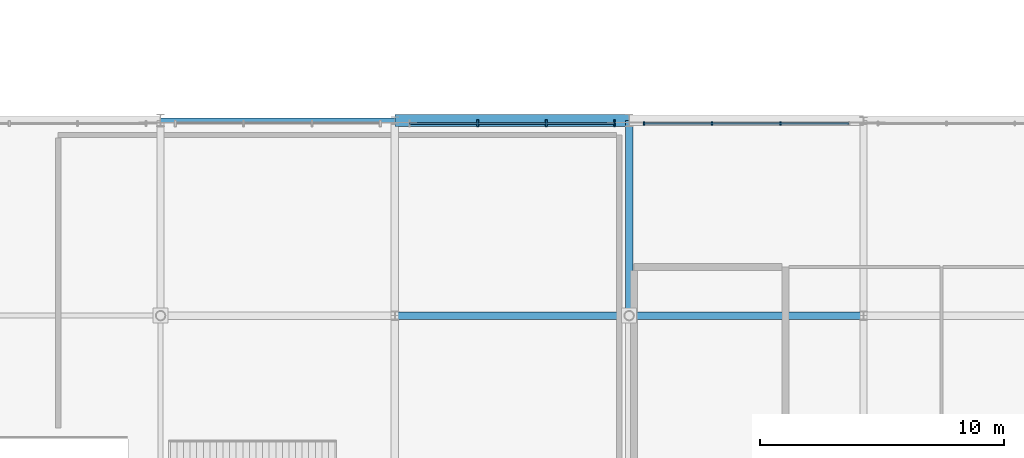
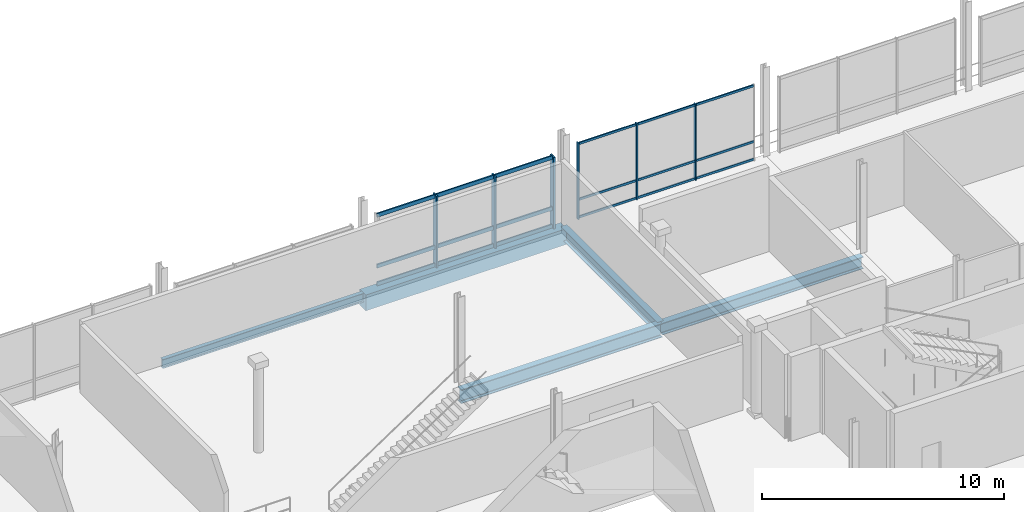
# One storey, part 13 of 36: 12 members, 5 beams, 2 elements without a shape of their own.
"""IFC4 building model written with IfcOpenShell, lengths in metres."""

from ifc_helpers import new_model, si_unit, direction, frame, origin, origin_2d, place, context, subcontext, project, spatial, rectangle, i_section, extrude, material, material_profile, profile_set, type_object, element, aggregate, save


model = new_model("IFC4")

# Units and contexts
model_context = context("Model", 3, precision=1e-05, world=origin(), true_north=direction((0.0, 1.0)))
body_context = subcontext(model_context, "Body", "Model", "MODEL_VIEW")
ifc_project = project(units=[si_unit("LENGTHUNIT", "METRE"), si_unit("AREAUNIT", "SQUARE_METRE"), si_unit("VOLUMEUNIT", "CUBIC_METRE"), si_unit("PLANEANGLEUNIT", "RADIAN"), si_unit("MASSUNIT", "GRAM", prefix="KILO")], contexts=[model_context])

# Site, building, storey
site_placement = place(None, origin())
site = spatial("IfcSite", under=ifc_project, at=site_placement, CompositionType="ELEMENT")
building_placement = place(site_placement, origin())
building = spatial("IfcBuilding", under=site, at=building_placement, Name="Danafjord Basin Convention Centre", CompositionType="ELEMENT")
storey_placement = place(building_placement, frame((0.0, 0.0, 20.39990234375)))
storey = spatial("IfcBuildingStorey", under=building, at=storey_placement, Name="L04", CompositionType="ELEMENT", Elevation=20.39990234375)

# Beams
ifc_material_1 = material(Name="Steel S355", Category="steel")
ifc_material_profile_1 = material_profile(ifc_material_1, i_section(OverallWidth=0.300048828125, OverallDepth=0.60009765625, WebThickness=0.015380859375, FlangeThickness=0.030029296875, FilletRadius=0.027099609375, at=origin_2d()), Name="HEB 600")
ifc_profile_set_1 = profile_set([ifc_material_profile_1], Name="Steel S355")
beam_type_1 = type_object("IfcBeamType", Name="BEAM-BM-HEB600", PredefinedType="BEAM", material=ifc_profile_set_1)
beam_1_placement = place(storey_placement, frame((48.0, 32.0, -0.52392578125), z_axis=(1.0, 0.0, 0.0), x_axis=(0.0, 1.0, 0.0)))
element("IfcBeam", 1, at=beam_1_placement, inside=storey, type_object=beam_type_1, Name="L04 girder BM-HEB600", PredefinedType="BEAM", context=body_context, shape_type="SweptSolid", body=[
    extrude(i_section(OverallWidth=0.300048828125, OverallDepth=0.60009765625, WebThickness=0.015380859375, FlangeThickness=0.030029296875, FilletRadius=0.027099609375, at=origin_2d()), origin(), (0.0, 0.0, 1.0), 9.60009765625),
])
beam_2_placement = place(storey_placement, frame((48.0, 32.0, -0.52392578125), z_axis=(0.0, 1.0, 0.0), x_axis=(-1.0, 0.0, 0.0)))
element("IfcBeam", 2, at=beam_2_placement, inside=storey, type_object=beam_type_1, Name="L04 transverse girder BM-HEB600", PredefinedType="BEAM", context=body_context, shape_type="SweptSolid", body=[
    extrude(i_section(OverallWidth=0.300048828125, OverallDepth=0.60009765625, WebThickness=0.015380859375, FlangeThickness=0.030029296875, FilletRadius=0.027099609375, at=origin_2d()), origin(), (0.0, 0.0, 1.0), 8.0),
])
ifc_material_profile_2 = material_profile(ifc_material_1, i_section(OverallWidth=0.300048828125, OverallDepth=0.699951171875, WebThickness=0.01708984375, FlangeThickness=0.031982421875, FilletRadius=0.027099609375, at=origin_2d()), Name="HEB 700")
ifc_profile_set_2 = profile_set([ifc_material_profile_2], Name="Steel S355")
beam_type_2 = type_object("IfcBeamType", Name="BEAM-BM-HEB700", PredefinedType="BEAM", material=ifc_profile_set_2)
beam_3_placement = place(storey_placement, frame((38.39990234375, 32.0, -0.573974609375), z_axis=(1.0, 0.0, 0.0), x_axis=(0.0, 1.0, 0.0)))
element("IfcBeam", 3, at=beam_3_placement, inside=storey, type_object=beam_type_2, Name="L04 girder BM-HEB700", PredefinedType="BEAM", context=body_context, shape_type="SweptSolid", body=[
    extrude(i_section(OverallWidth=0.300048828125, OverallDepth=0.699951171875, WebThickness=0.01708984375, FlangeThickness=0.031982421875, FilletRadius=0.027099609375, at=origin_2d()), origin(), (0.0, 0.0, 1.0), 9.60009765625),
])
ifc_material_profile_3 = material_profile(ifc_material_1, i_section(OverallWidth=0.18994140625, OverallDepth=0.449951171875, WebThickness=0.009521484375, FlangeThickness=0.0146484375, FilletRadius=0.02099609375, at=origin_2d()), Name="IPE 450")
ifc_profile_set_3 = profile_set([ifc_material_profile_3], Name="Steel S355")
beam_type_3 = type_object("IfcBeamType", Name="BEAM-SP-IPE450", PredefinedType="SPANDREL", material=ifc_profile_set_3)
beam_4_placement = place(storey_placement, frame((28.800048828125, 40.0, -0.448974609375), z_axis=(1.0, 0.0, 0.0), x_axis=(0.0, 1.0, 0.0)))
element("IfcBeam", 4, at=beam_4_placement, inside=storey, type_object=beam_type_3, Name="L04 girder SP-IPE450", PredefinedType="SPANDREL", context=body_context, shape_type="SweptSolid", body=[
    extrude(i_section(OverallWidth=0.18994140625, OverallDepth=0.449951171875, WebThickness=0.009521484375, FlangeThickness=0.0146484375, FilletRadius=0.02099609375, at=origin_2d()), origin(), (0.0, 0.0, 1.0), 9.599853515625),
])
ifc_material_2 = material(Name="Precast concrete C45/55", Category="concrete")
ifc_material_profile_4 = material_profile(ifc_material_2, rectangle(XDim=0.5, YDim=0.800048828125, at=origin_2d()), Name="PCB 500x800")
ifc_profile_set_4 = profile_set([ifc_material_profile_4], Name="Precast concrete C45/55")
beam_type_4 = type_object("IfcBeamType", Name="BEAM-SP-PCB800", PredefinedType="SPANDREL", material=ifc_profile_set_4)
beam_5_placement = place(storey_placement, frame((38.39990234375, 40.0, -0.6240234375), z_axis=(1.0, 0.0, 0.0), x_axis=(0.0, 1.0, 0.0)))
element("IfcBeam", 5, at=beam_5_placement, inside=storey, type_object=beam_type_4, Name="L04 girder SP-PCB800", PredefinedType="SPANDREL", context=body_context, shape_type="SweptSolid", body=[
    extrude(rectangle(XDim=0.5, YDim=0.800048828125, at=origin_2d()), origin(), (0.0, 0.0, 1.0), 9.60009765625),
])

# Curtain wall, members
ifc_material_3 = material(Name="Anodised aluminium and triple glazing", Category="aluminium")
curtain_wall_type = type_object("IfcCurtainWallType", Name="CW-CW-TERR", PredefinedType="NOTDEFINED", material=ifc_material_3)
curtain_wall_1_placement = place(storey_placement, origin())
curtain_wall_1 = element("IfcCurtainWall", 6, at=curtain_wall_1_placement, inside=storey, type_object=curtain_wall_type, Name="L04 CW-TERR unitised curtain wall bay 90", PredefinedType="NOTDEFINED")
ifc_material_4 = material(Name="Anodised aluminium EN AW-6060", Category="aluminium")
ifc_material_profile_5 = material_profile(ifc_material_4, rectangle(XDim=0.06005859375, YDim=0.139892578125, at=origin_2d()), Name="MULL 60x140")
ifc_profile_set_5 = profile_set([ifc_material_profile_5], Name="Anodised aluminium EN AW-6060")
member_type_1 = type_object("IfcMemberType", Name="MEM-ML-140", PredefinedType="MULLION", material=ifc_profile_set_5)
member_1_placement = place(storey_placement, frame((54.199951171875, 39.8798828125, -0.02490234375), z_axis=(0.0, 0.0, 1.0), x_axis=(-1.0, 0.0, 0.0)))
member_1 = element("IfcMember", 7, at=member_1_placement, type_object=member_type_1, Name="CW-L04-090 mullion 2", PredefinedType="MULLION", context=body_context, shape_type="SweptSolid", body=[
    extrude(rectangle(XDim=0.06005859375, YDim=0.139892578125, at=origin_2d()), origin(), (0.0, 0.0, 1.0), 3.864990234375),
])
member_2_placement = place(storey_placement, frame((51.39990234375, 39.8798828125, -0.02490234375), z_axis=(0.0, 0.0, 1.0), x_axis=(-1.0, 0.0, 0.0)))
member_2 = element("IfcMember", 8, at=member_2_placement, type_object=member_type_1, Name="CW-L04-090 mullion 3", PredefinedType="MULLION", context=body_context, shape_type="SweptSolid", body=[
    extrude(rectangle(XDim=0.06005859375, YDim=0.139892578125, at=origin_2d()), origin(), (0.0, 0.0, 1.0), 3.864990234375),
])
member_3_placement = place(storey_placement, frame((48.60009765625, 39.8798828125, -0.02490234375), z_axis=(0.0, 0.0, 1.0), x_axis=(-1.0, 0.0, 0.0)))
member_3 = element("IfcMember", 9, at=member_3_placement, type_object=member_type_1, Name="CW-L04-090 mullion 4", PredefinedType="MULLION", context=body_context, shape_type="SweptSolid", body=[
    extrude(rectangle(XDim=0.06005859375, YDim=0.139892578125, at=origin_2d()), origin(), (0.0, 0.0, 1.0), 3.864990234375),
])

curtain_wall_2_placement = place(storey_placement, origin())
curtain_wall_2 = element("IfcCurtainWall", 10, at=curtain_wall_2_placement, inside=storey, type_object=curtain_wall_type, Name="L04 CW-TERR unitised curtain wall bay 89", PredefinedType="NOTDEFINED")
ifc_material_profile_6 = material_profile(ifc_material_4, rectangle(XDim=0.080078125, YDim=0.300048828125, at=origin_2d()), Name="MULL 80x300")
ifc_profile_set_6 = profile_set([ifc_material_profile_6], Name="Anodised aluminium EN AW-6060")
member_type_2 = type_object("IfcMemberType", Name="MEM-ML-300", PredefinedType="MULLION", material=ifc_profile_set_6)
member_4_placement = place(storey_placement, frame((47.39990234375, 39.8798828125, -0.02490234375), z_axis=(0.0, 0.0, 1.0), x_axis=(-1.0, 0.0, 0.0)))
member_4 = element("IfcMember", 11, at=member_4_placement, type_object=member_type_2, Name="CW-L04-089 mullion 1", PredefinedType="MULLION", context=body_context, shape_type="SweptSolid", body=[
    extrude(rectangle(XDim=0.080078125, YDim=0.300048828125, at=origin_2d()), origin(), (0.0, 0.0, 1.0), 3.614990234375),
])
member_5_placement = place(storey_placement, frame((44.60009765625, 39.8798828125, -0.02490234375), z_axis=(0.0, 0.0, 1.0), x_axis=(-1.0, 0.0, 0.0)))
member_5 = element("IfcMember", 12, at=member_5_placement, type_object=member_type_2, Name="CW-L04-089 mullion 2", PredefinedType="MULLION", context=body_context, shape_type="SweptSolid", body=[
    extrude(rectangle(XDim=0.080078125, YDim=0.300048828125, at=origin_2d()), origin(), (0.0, 0.0, 1.0), 3.614990234375),
])
member_6_placement = place(storey_placement, frame((41.800048828125, 39.8798828125, -0.02490234375), z_axis=(0.0, 0.0, 1.0), x_axis=(-1.0, 0.0, 0.0)))
member_6 = element("IfcMember", 13, at=member_6_placement, type_object=member_type_2, Name="CW-L04-089 mullion 3", PredefinedType="MULLION", context=body_context, shape_type="SweptSolid", body=[
    extrude(rectangle(XDim=0.080078125, YDim=0.300048828125, at=origin_2d()), origin(), (0.0, 0.0, 1.0), 3.614990234375),
])

# Member
ifc_material_profile_7 = material_profile(ifc_material_4, rectangle(XDim=0.06005859375, YDim=0.110107421875, at=origin_2d()), Name="TRAN 60x110")
ifc_profile_set_7 = profile_set([ifc_material_profile_7], Name="Anodised aluminium EN AW-6060")
member_type_3 = type_object("IfcMemberType", Name="MEM-TR-110", PredefinedType="USERDEFINED", material=ifc_profile_set_7)
member_7_placement = place(storey_placement, frame((57.0, 39.8798828125, 0.06005859375), z_axis=(-1.0, 0.0, 0.0), x_axis=(0.0, -1.0, 0.0)))
member_7 = element("IfcMember", 14, at=member_7_placement, type_object=member_type_3, Name="CW-L04-090 transom 1", ObjectType="TRANSOM", PredefinedType="USERDEFINED", context=body_context, shape_type="SweptSolid", body=[
    extrude(rectangle(XDim=0.06005859375, YDim=0.110107421875, at=origin_2d()), origin(), (0.0, 0.0, 1.0), 8.39990234375),
])

member_8_placement = place(storey_placement, frame((57.0, 39.8798828125, 0.9501953125), z_axis=(-1.0, 0.0, 0.0), x_axis=(0.0, -1.0, 0.0)))
member_8 = element("IfcMember", 15, at=member_8_placement, type_object=member_type_3, Name="CW-L04-090 transom 2", ObjectType="TRANSOM", PredefinedType="USERDEFINED", context=body_context, shape_type="SweptSolid", body=[
    extrude(rectangle(XDim=0.06005859375, YDim=0.110107421875, at=origin_2d()), origin(), (0.0, 0.0, 1.0), 8.39990234375),
])

member_9_placement = place(storey_placement, frame((57.0, 39.8798828125, 3.77001953125), z_axis=(-1.0, 0.0, 0.0), x_axis=(0.0, -1.0, 0.0)))
member_9 = element("IfcMember", 16, at=member_9_placement, type_object=member_type_3, Name="CW-L04-090 transom 3", ObjectType="TRANSOM", PredefinedType="USERDEFINED", context=body_context, shape_type="SweptSolid", body=[
    extrude(rectangle(XDim=0.06005859375, YDim=0.110107421875, at=origin_2d()), origin(), (0.0, 0.0, 1.0), 8.39990234375),
])

aggregate(curtain_wall_1, [member_1, member_2, member_3, member_7, member_8, member_9])

ifc_material_profile_8 = material_profile(ifc_material_4, rectangle(XDim=0.06494140625, YDim=0.18994140625, at=origin_2d()), Name="TRAN 65x190")
ifc_profile_set_8 = profile_set([ifc_material_profile_8], Name="Anodised aluminium EN AW-6060")
member_type_4 = type_object("IfcMemberType", Name="MEM-TR-190", PredefinedType="USERDEFINED", material=ifc_profile_set_8)
member_10_placement = place(storey_placement, frame((47.39990234375, 39.8798828125, 0.06005859375), z_axis=(-1.0, 0.0, 0.0), x_axis=(0.0, -1.0, 0.0)))
member_10 = element("IfcMember", 17, at=member_10_placement, type_object=member_type_4, Name="CW-L04-089 transom 1", ObjectType="TRANSOM", PredefinedType="USERDEFINED", context=body_context, shape_type="SweptSolid", body=[
    extrude(rectangle(XDim=0.06494140625, YDim=0.18994140625, at=origin_2d()), origin(), (0.0, 0.0, 1.0), 8.39990234375),
])

member_11_placement = place(storey_placement, frame((47.39990234375, 39.8798828125, 0.9501953125), z_axis=(-1.0, 0.0, 0.0), x_axis=(0.0, -1.0, 0.0)))
member_11 = element("IfcMember", 18, at=member_11_placement, type_object=member_type_4, Name="CW-L04-089 transom 2", ObjectType="TRANSOM", PredefinedType="USERDEFINED", context=body_context, shape_type="SweptSolid", body=[
    extrude(rectangle(XDim=0.06494140625, YDim=0.18994140625, at=origin_2d()), origin(), (0.0, 0.0, 1.0), 8.39990234375),
])

member_12_placement = place(storey_placement, frame((47.39990234375, 39.8798828125, 3.52001953125), z_axis=(-1.0, 0.0, 0.0), x_axis=(0.0, -1.0, 0.0)))
member_12 = element("IfcMember", 19, at=member_12_placement, type_object=member_type_4, Name="CW-L04-089 transom 3", ObjectType="TRANSOM", PredefinedType="USERDEFINED", context=body_context, shape_type="SweptSolid", body=[
    extrude(rectangle(XDim=0.06494140625, YDim=0.18994140625, at=origin_2d()), origin(), (0.0, 0.0, 1.0), 8.39990234375),
])

aggregate(curtain_wall_2, [member_4, member_5, member_6, member_10, member_11, member_12])

save(model, "model.ifc")
